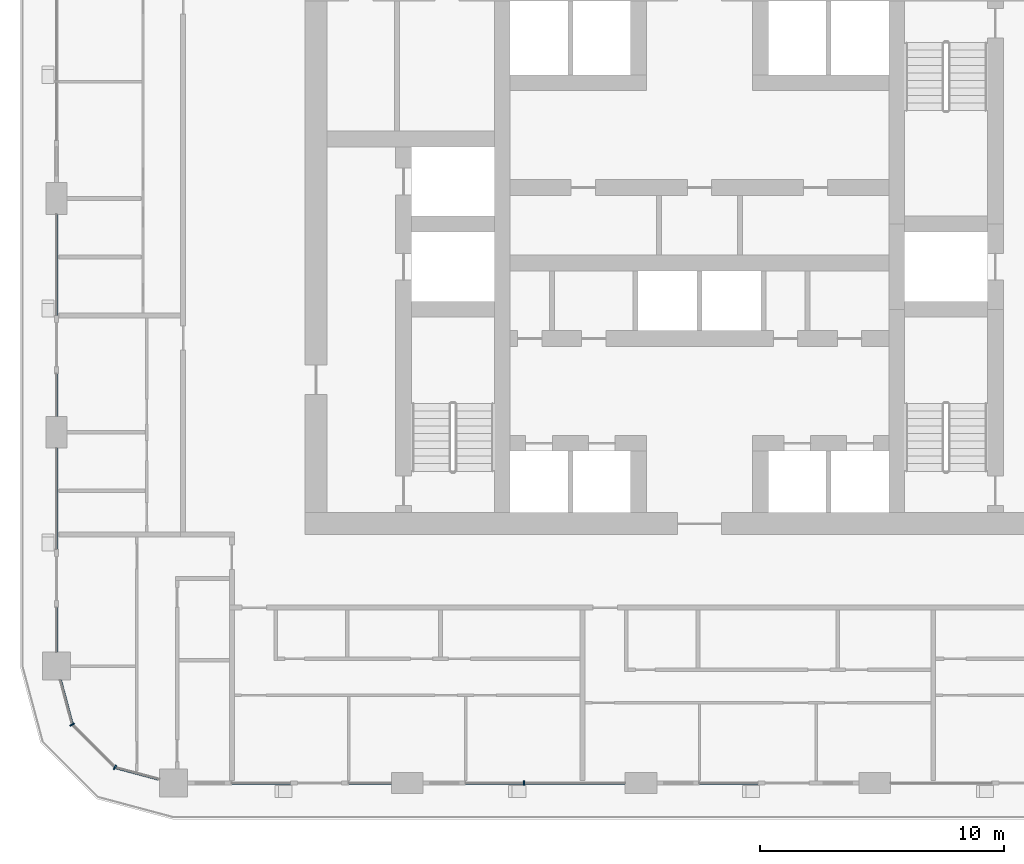
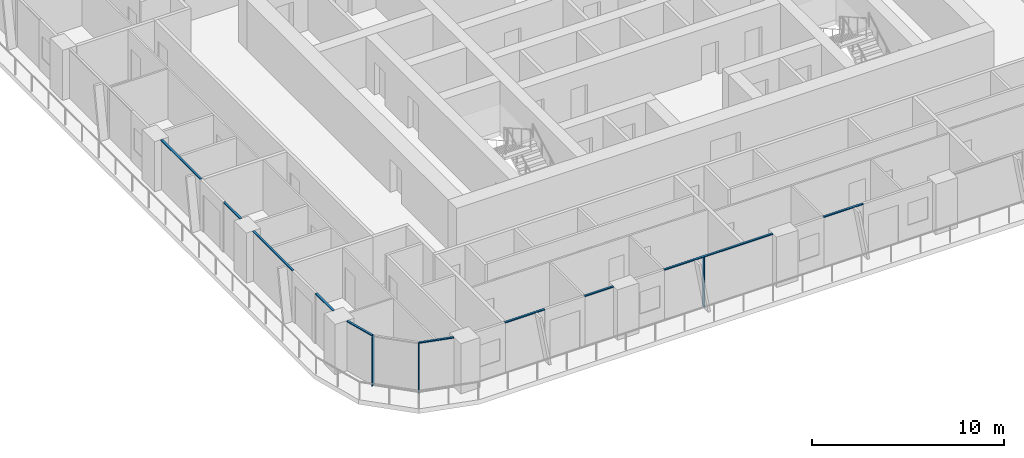
# One storey, part 2 of 22: 13 members, 6 elements without a shape of their own.
"""IFC4 building model written with IfcOpenShell, lengths in metres."""

from ifc_helpers import new_model, si_unit, direction, frame, origin, origin_2d, place, context, subcontext, project, spatial, rectangle, extrude, material, layer, layer_set, material_profile, profile_set, type_object, element, aggregate, save


model = new_model("IFC4")

# Units and contexts
model_context = context("Model", 3, precision=1e-05, world=origin(), true_north=direction((0.0, 1.0)))
body_context = subcontext(model_context, "Body", "Model", "MODEL_VIEW")
ifc_project = project(units=[si_unit("LENGTHUNIT", "METRE"), si_unit("AREAUNIT", "SQUARE_METRE"), si_unit("VOLUMEUNIT", "CUBIC_METRE"), si_unit("PLANEANGLEUNIT", "RADIAN"), si_unit("MASSUNIT", "GRAM", prefix="KILO")], contexts=[model_context])

# Site, building, storey
site_placement = place(None, origin())
site = spatial("IfcSite", under=ifc_project, at=site_placement, CompositionType="ELEMENT")
building_placement = place(site_placement, origin())
building = spatial("IfcBuilding", under=site, at=building_placement, Name="Madar Terraces", CompositionType="ELEMENT")
storey_placement = place(building_placement, frame((0.0, 0.0, 99.699951171875)))
storey = spatial("IfcBuildingStorey", under=building, at=storey_placement, Name="L25", CompositionType="ELEMENT", Elevation=99.699951171875)

# Curtain wall, member
ifc_material_1 = material(Name="Glass, ceramic frit dark grey, with black aluminium frame", Category="aluminium")
ifc_layer = layer(ifc_material_1, 0.199951171875)
ifc_layer_set = layer_set([ifc_layer], Name="Facade curtain wall, fritted glass")
curtain_wall_type = type_object("IfcCurtainWallType", Name="Facade curtain wall, fritted glass", PredefinedType="NOTDEFINED", material=ifc_layer_set)
curtain_wall_1_placement = place(storey_placement, origin())
curtain_wall_1 = element("IfcCurtainWall", 1, at=curtain_wall_1_placement, inside=storey, type_object=curtain_wall_type, Name="Outer skin curtain wall south bay 2", PredefinedType="NOTDEFINED")
ifc_material_2 = material(Name="Aluminium, black anodised", Category="aluminium")
ifc_material_profile_1 = material_profile(ifc_material_2, rectangle(XDim=0.199951171875, YDim=0.06005859375, at=origin_2d()), Name="Facade mullion 60x200")
ifc_profile_set_1 = profile_set([ifc_material_profile_1], Name="Aluminium, black anodised")
member_type_1 = type_object("IfcMemberType", Name="Facade mullion 60x200", PredefinedType="MULLION", material=ifc_profile_set_1)
member_1_placement = place(storey_placement, frame((24.0, 4.800048828125, 0.0), z_axis=(0.0, 0.0, 1.0), x_axis=(0.0, 1.0, 0.0)))
member_1 = element("IfcMember", 2, at=member_1_placement, type_object=member_type_1, Name="Mullion 1", PredefinedType="MULLION", context=body_context, shape_type="SweptSolid", body=[
    extrude(rectangle(XDim=0.199951171875, YDim=0.06005859375, at=origin_2d()), origin(), (0.0, 0.0, 1.0), 3.14013671875),
])

# Curtain wall, members
curtain_wall_2_placement = place(storey_placement, origin())
curtain_wall_2 = element("IfcCurtainWall", 3, at=curtain_wall_2_placement, inside=storey, type_object=curtain_wall_type, Name="Outer skin curtain wall south-west corner", PredefinedType="NOTDEFINED")
member_2_placement = place(storey_placement, frame((5.443115234375, 7.199951171875, 0.0), z_axis=(0.0, 0.0, 1.0), x_axis=(0.866025409797, 0.499999989586, 0.0)))
member_2 = element("IfcMember", 4, at=member_2_placement, type_object=member_type_1, Name="Mullion 1", PredefinedType="MULLION", context=body_context, shape_type="SweptSolid", body=[
    extrude(rectangle(XDim=0.199951171875, YDim=0.06005859375, at=origin_2d()), origin(), (0.0, 0.0, 1.0), 3.14013671875),
])
member_3_placement = place(storey_placement, frame((7.199951171875, 5.443115234375, 0.0), z_axis=(0.0, 0.0, 1.0), x_axis=(0.499999989586, 0.866025409797, 0.0)))
member_3 = element("IfcMember", 5, at=member_3_placement, type_object=member_type_1, Name="Mullion 2", PredefinedType="MULLION", context=body_context, shape_type="SweptSolid", body=[
    extrude(rectangle(XDim=0.199951171875, YDim=0.06005859375, at=origin_2d()), origin(), (0.0, 0.0, 1.0), 3.14013671875),
])

curtain_wall_3_placement = place(storey_placement, origin())
curtain_wall_3 = element("IfcCurtainWall", 6, at=curtain_wall_3_placement, inside=storey, type_object=curtain_wall_type, Name="Outer skin curtain wall south bay 1", PredefinedType="NOTDEFINED")
ifc_material_3 = material(Name="Aluminium, black anodised", Category="aluminium")
ifc_material_profile_2 = material_profile(ifc_material_3, rectangle(XDim=0.1201171875, YDim=0.06005859375, at=origin_2d()), Name="Facade transom 60x120")
ifc_profile_set_2 = profile_set([ifc_material_profile_2], Name="Aluminium, black anodised")
member_type_2 = type_object("IfcMemberType", Name="Facade transom 60x120", PredefinedType="USERDEFINED", material=ifc_profile_set_2)
member_4_placement = place(storey_placement, frame((12.0, 4.800048828125, 3.170166015625), z_axis=(1.0, 0.0, 0.0), x_axis=(0.0, 1.0, 0.0)))
member_4 = element("IfcMember", 7, at=member_4_placement, type_object=member_type_2, Name="Transom 1", ObjectType="TRANSOM", PredefinedType="USERDEFINED", context=body_context, shape_type="SweptSolid", body=[
    extrude(rectangle(XDim=0.1201171875, YDim=0.06005859375, at=origin_2d()), origin(), (0.0, 0.0, 1.0), 2.39990234375),
])
member_5_placement = place(storey_placement, frame((16.800048828125, 4.800048828125, 3.170166015625), z_axis=(1.0, 0.0, 0.0), x_axis=(0.0, 1.0, 0.0)))
member_5 = element("IfcMember", 8, at=member_5_placement, type_object=member_type_2, Name="Transom 2", ObjectType="TRANSOM", PredefinedType="USERDEFINED", context=body_context, shape_type="SweptSolid", body=[
    extrude(rectangle(XDim=0.1201171875, YDim=0.06005859375, at=origin_2d()), origin(), (0.0, 0.0, 1.0), 1.75),
])
aggregate(curtain_wall_3, [member_4, member_5])

# Member
member_6_placement = place(storey_placement, frame((21.60009765625, 4.800048828125, 3.170166015625), z_axis=(1.0, 0.0, 0.0), x_axis=(0.0, 1.0, 0.0)))
member_6 = element("IfcMember", 9, at=member_6_placement, type_object=member_type_2, Name="Transom 1", ObjectType="TRANSOM", PredefinedType="USERDEFINED", context=body_context, shape_type="SweptSolid", body=[
    extrude(rectangle(XDim=0.1201171875, YDim=0.06005859375, at=origin_2d()), origin(), (0.0, 0.0, 1.0), 6.5498046875),
])

aggregate(curtain_wall_1, [member_1, member_6])

# Curtain wall, member
curtain_wall_4_placement = place(storey_placement, origin())
curtain_wall_4 = element("IfcCurtainWall", 10, at=curtain_wall_4_placement, inside=storey, type_object=curtain_wall_type, Name="Outer skin curtain wall south bay 3", PredefinedType="NOTDEFINED")
member_7_placement = place(storey_placement, frame((31.199951171875, 4.800048828125, 3.170166015625), z_axis=(1.0, 0.0, 0.0), x_axis=(0.0, 1.0, 0.0)))
member_7 = element("IfcMember", 11, at=member_7_placement, type_object=member_type_2, Name="Transom 1", ObjectType="TRANSOM", PredefinedType="USERDEFINED", context=body_context, shape_type="SweptSolid", body=[
    extrude(rectangle(XDim=0.1201171875, YDim=0.06005859375, at=origin_2d()), origin(), (0.0, 0.0, 1.0), 2.400146484375),
])
aggregate(curtain_wall_4, [member_7])

# Curtain wall, members
curtain_wall_5_placement = place(storey_placement, origin())
curtain_wall_5 = element("IfcCurtainWall", 12, at=curtain_wall_5_placement, inside=storey, type_object=curtain_wall_type, Name="Outer skin curtain wall west bay 3", PredefinedType="NOTDEFINED")
member_8_placement = place(storey_placement, frame((4.800048828125, 28.14990234375, 3.170166015625), z_axis=(0.0, -1.0, 0.0), x_axis=(1.0, 0.0, 0.0)))
member_8 = element("IfcMember", 13, at=member_8_placement, type_object=member_type_2, Name="Transom 1", ObjectType="TRANSOM", PredefinedType="USERDEFINED", context=body_context, shape_type="SweptSolid", body=[
    extrude(rectangle(XDim=0.1201171875, YDim=0.06005859375, at=origin_2d()), origin(), (0.0, 0.0, 1.0), 4.14990234375),
])
member_9_placement = place(storey_placement, frame((4.800048828125, 21.60009765625, 3.170166015625), z_axis=(0.0, -1.0, 0.0), x_axis=(1.0, 0.0, 0.0)))
member_9 = element("IfcMember", 14, at=member_9_placement, type_object=member_type_2, Name="Transom 2", ObjectType="TRANSOM", PredefinedType="USERDEFINED", context=body_context, shape_type="SweptSolid", body=[
    extrude(rectangle(XDim=0.1201171875, YDim=0.06005859375, at=origin_2d()), origin(), (0.0, 0.0, 1.0), 1.75),
])
aggregate(curtain_wall_5, [member_8, member_9])

curtain_wall_6_placement = place(storey_placement, origin())
curtain_wall_6 = element("IfcCurtainWall", 15, at=curtain_wall_6_placement, inside=storey, type_object=curtain_wall_type, Name="Outer skin curtain wall west bay 4", PredefinedType="NOTDEFINED")
member_10_placement = place(storey_placement, frame((4.800048828125, 18.550048828125, 3.170166015625), z_axis=(0.0, -1.0, 0.0), x_axis=(1.0, 0.0, 0.0)))
member_10 = element("IfcMember", 16, at=member_10_placement, type_object=member_type_2, Name="Transom 1", ObjectType="TRANSOM", PredefinedType="USERDEFINED", context=body_context, shape_type="SweptSolid", body=[
    extrude(rectangle(XDim=0.1201171875, YDim=0.06005859375, at=origin_2d()), origin(), (0.0, 0.0, 1.0), 4.150146484375),
])
member_11_placement = place(storey_placement, frame((4.800048828125, 12.0, 3.170166015625), z_axis=(0.0, -1.0, 0.0), x_axis=(1.0, 0.0, 0.0)))
member_11 = element("IfcMember", 17, at=member_11_placement, type_object=member_type_2, Name="Transom 2", ObjectType="TRANSOM", PredefinedType="USERDEFINED", context=body_context, shape_type="SweptSolid", body=[
    extrude(rectangle(XDim=0.1201171875, YDim=0.06005859375, at=origin_2d()), origin(), (0.0, 0.0, 1.0), 1.824951171875),
])
aggregate(curtain_wall_6, [member_10, member_11])

# Member
member_12_placement = place(storey_placement, frame((4.9541015625, 9.02490234375, 3.170166015625), z_axis=(0.258814847786, -0.965926950947, 0.0), x_axis=(0.965926950947, 0.258814847786, 0.0)))
member_12 = element("IfcMember", 18, at=member_12_placement, type_object=member_type_2, Name="Transom 1", ObjectType="TRANSOM", PredefinedType="USERDEFINED", context=body_context, shape_type="SweptSolid", body=[
    extrude(rectangle(XDim=0.1201171875, YDim=0.06005859375, at=origin_2d()), origin(), (0.0, 0.0, 1.0), 1.859130859375),
])

member_13_placement = place(storey_placement, frame((7.22900390625, 5.435302734375, 3.170166015625), z_axis=(0.965926950947, -0.258814847786, 0.0), x_axis=(0.258814847786, 0.965926950947, 0.0)))
member_13 = element("IfcMember", 19, at=member_13_placement, type_object=member_type_2, Name="Transom 3", ObjectType="TRANSOM", PredefinedType="USERDEFINED", context=body_context, shape_type="SweptSolid", body=[
    extrude(rectangle(XDim=0.1201171875, YDim=0.06005859375, at=origin_2d()), origin(), (0.0, 0.0, 1.0), 1.859130859375),
])

aggregate(curtain_wall_2, [member_2, member_12, member_3, member_13])

save(model, "model.ifc")
